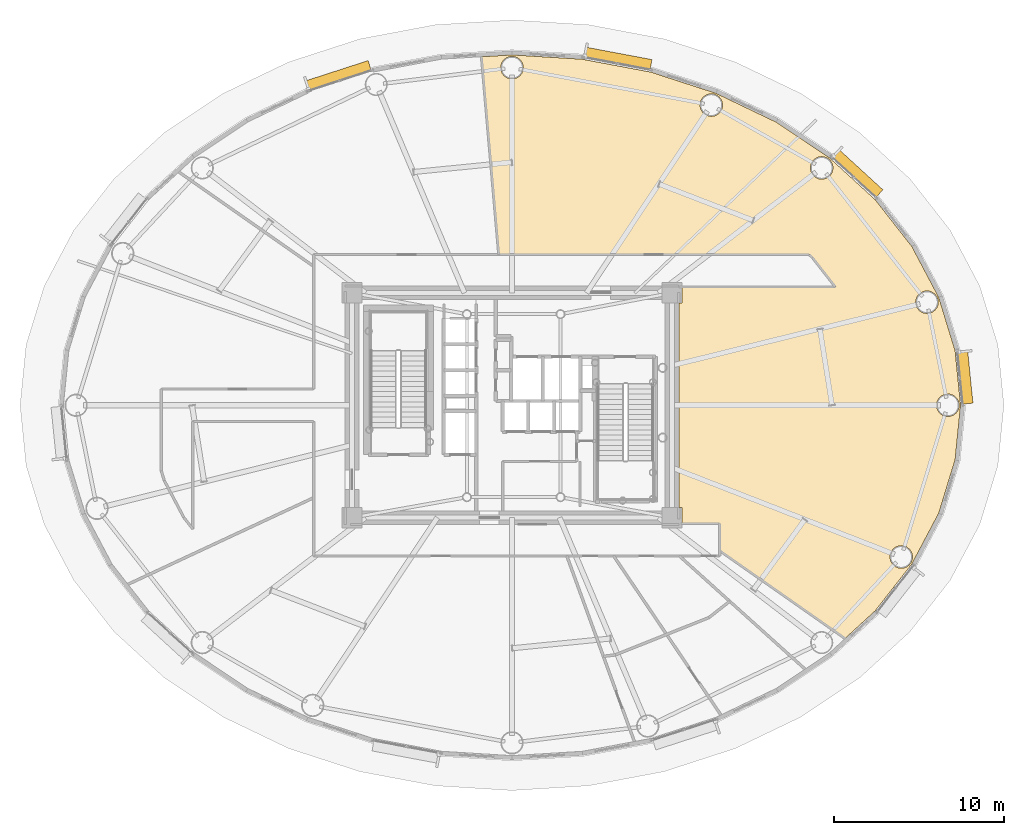
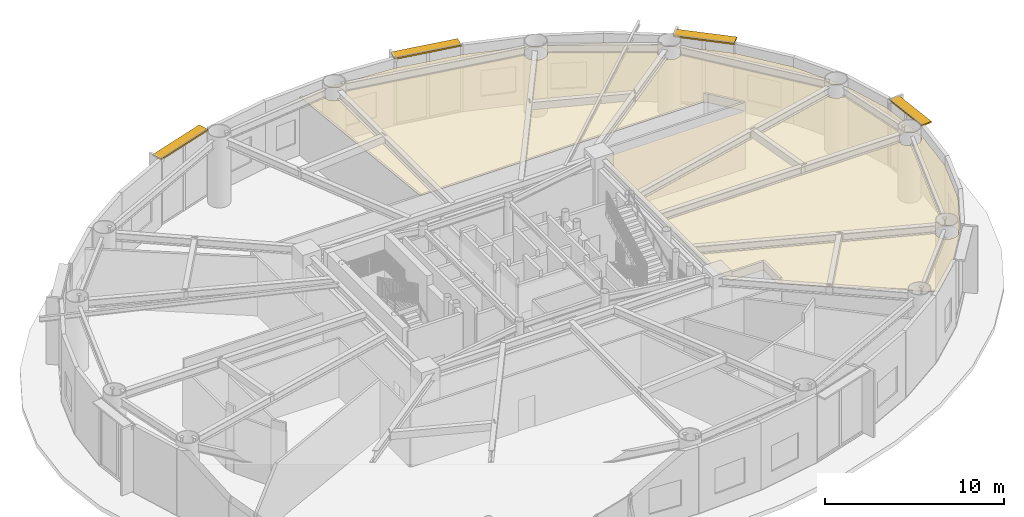
# One storey, part 38 of 38: 4 shading devices, 1 covering.
"""IFC4 building model written with IfcOpenShell, lengths in metres."""

import ifcopenshell
import ifcopenshell.guid

model = None  # the IFC model being written
_history = None  # IfcOwnerHistory: only IFC2X3 demands one
_inside = {}  # id of a spatial element -> (the spatial element, [elements in it])
_under = {}  # id of a project, library or spatial element -> (it, [spatial elements below it])
_declared = {}  # id of a project -> (the project, [libraries it declares])
_typed = {}  # id of a type object -> (the type object, [elements of that type])
_made_of = {}  # id of a material, layer set ... -> (it, [elements and type objects made of it])


def new_model(schema):
    """Start an empty IFC model of exactly this schema.

    Asked for "IFC4X3", IfcOpenShell would pick the latest addendum, in which some entities
    have other attributes; the version numbers below select the first issue.
    IFC2X3 requires an IfcOwnerHistory on every rooted entity: one is made here for all.
    """
    global model, _history
    if schema == "IFC4X3":
        model = ifcopenshell.file(schema_version=(4, 3, 0, 0))
    else:
        model = ifcopenshell.file(schema=schema)
    _inside.clear()
    _under.clear()
    _declared.clear()
    _typed.clear()
    _made_of.clear()
    _history = None
    if model.schema == "IFC2X3":
        org = make("IfcOrganization", Name="unknown")
        user = make(
            "IfcPersonAndOrganization",
            ThePerson=make("IfcPerson", FamilyName="unknown"),
            TheOrganization=org,
        )
        app = make(
            "IfcApplication",
            ApplicationDeveloper=org,
            Version="unknown",
            ApplicationFullName="unknown",
            ApplicationIdentifier="unknown",
        )
        _history = make(
            "IfcOwnerHistory",
            OwningUser=user,
            OwningApplication=app,
            ChangeAction="ADDED",
            CreationDate=0,
        )
    return model


def make(cls, **values):
    """One entity of the class cls with the attributes given. An attribute that is None is left unset."""
    return model.create_entity(
        cls, **{name: value for name, value in values.items() if value is not None}
    )


def rooted(cls, **values):
    """An entity with a GlobalId (a new one), such as an element, a storey or a relation."""
    return make(cls, GlobalId=ifcopenshell.guid.new(), OwnerHistory=_history, **values)


def si_unit(unit_type, name, prefix=None):
    """IfcSIUnit, for example si_unit("LENGTHUNIT", "METRE", prefix="MILLI")."""
    return make("IfcSIUnit", UnitType=unit_type, Prefix=prefix, Name=name)


def assignment(units):
    """IfcUnitAssignment: the units of a project."""
    return None if units is None else make("IfcUnitAssignment", Units=units)


def point(xyz):
    """IfcCartesianPoint."""
    return None if xyz is None else make("IfcCartesianPoint", Coordinates=xyz)


def direction(xyz):
    """IfcDirection."""
    return None if xyz is None else make("IfcDirection", DirectionRatios=xyz)


def frame(location, z_axis=None, x_axis=None):
    """IfcAxis2Placement3D, a coordinate frame: its origin and axes. An axis left out is left unset."""
    return make(
        "IfcAxis2Placement3D",
        Location=point(location),
        Axis=direction(z_axis),
        RefDirection=direction(x_axis),
    )


def frame_2d(location, x_axis=None):
    """IfcAxis2Placement2D, a coordinate frame in the plane: its origin and x axis."""
    return make(
        "IfcAxis2Placement2D", Location=point(location), RefDirection=direction(x_axis)
    )


def origin():
    """The frame at (0, 0, 0) with its axes left unset."""
    return frame((0.0, 0.0, 0.0))


def origin_2d():
    """The frame at (0, 0) in the plane with its x axis left unset."""
    return frame_2d((0.0, 0.0))


def place(relative_to, where):
    """IfcLocalPlacement: puts the frame where relative to a parent placement (None: the world)."""
    return make(
        "IfcLocalPlacement", PlacementRelTo=relative_to, RelativePlacement=where
    )


def context(
    kind, dimensions, precision=None, world=None, true_north=None, identifier=None
):
    """IfcGeometricRepresentationContext, for example the 3D "Model" context."""
    return make(
        "IfcGeometricRepresentationContext",
        ContextIdentifier=identifier,
        ContextType=kind,
        CoordinateSpaceDimension=dimensions,
        Precision=precision,
        WorldCoordinateSystem=world,
        TrueNorth=true_north,
    )


def subcontext(parent, identifier, kind, view, scale=None):
    """IfcGeometricRepresentationSubContext, for example "Body" below "Model"."""
    return make(
        "IfcGeometricRepresentationSubContext",
        ContextIdentifier=identifier,
        ContextType=kind,
        ParentContext=parent,
        TargetScale=scale,
        TargetView=view,
    )


def project(units=None, contexts=None):
    """IfcProject with its units and contexts."""
    return rooted(
        "IfcProject",
        Name="project",
        RepresentationContexts=contexts,
        UnitsInContext=assignment(units),
    )


def spatial(cls, under=None, at=None, **own):
    """A site, building, storey or space (cls), placed at a placement, below another one or the project."""
    s = rooted(cls, ObjectPlacement=at, **own)
    if under is not None:
        _under.setdefault(under.id(), (under, []))[1].append(s)
    return s


def polyline(points):
    """IfcPolyline through the points."""
    return make("IfcPolyline", Points=[point(p) for p in points])


def profile(cls, at=None, kind="AREA", **sizes):
    """A parametric profile (cls). Its sizes go by their IFC names, for example OverallWidth=200.0."""
    return make(cls, ProfileType=kind, Position=at, **sizes)


def rectangle(**sizes):
    """IfcRectangleProfileDef."""
    return profile("IfcRectangleProfileDef", **sizes)


def outline(outer, holes=None, kind="AREA"):
    """IfcArbitraryClosedProfileDef: a profile drawn as a closed curve; with holes, ...WithVoids."""
    if holes is None:
        return make("IfcArbitraryClosedProfileDef", ProfileType=kind, OuterCurve=outer)
    return make(
        "IfcArbitraryProfileDefWithVoids",
        ProfileType=kind,
        OuterCurve=outer,
        InnerCurves=holes,
    )


def extrude(swept, where, along, depth):
    """IfcExtrudedAreaSolid: the profile swept, set in the frame where, extruded along a direction by depth."""
    return make(
        "IfcExtrudedAreaSolid",
        SweptArea=swept,
        Position=where,
        ExtrudedDirection=direction(along),
        Depth=depth,
    )


def shape(context_of_items, identifier, shape_type, items):
    """IfcShapeRepresentation: the items that make up one representation, for example the "Body"."""
    return make(
        "IfcShapeRepresentation",
        ContextOfItems=context_of_items,
        RepresentationIdentifier=identifier,
        RepresentationType=shape_type,
        Items=items,
    )


def source(mapping_origin, context_of_items, identifier, shape_type, items):
    """IfcRepresentationMap: a shape defined once, which mapped items show again and again."""
    return make(
        "IfcRepresentationMap",
        MappingOrigin=mapping_origin,
        MappedRepresentation=shape(context_of_items, identifier, shape_type, items),
    )


def transform(
    local_origin,
    x_axis=None,
    y_axis=None,
    z_axis=None,
    scale=None,
    scale2=None,
    scale3=None,
    uniform=True,
):
    """IfcCartesianTransformationOperator3D, or its non-uniform kind. x_axis, y_axis, z_axis: its Axis1, 2, 3."""
    if uniform:
        return make(
            "IfcCartesianTransformationOperator3D",
            Axis1=direction(x_axis),
            Axis2=direction(y_axis),
            LocalOrigin=point(local_origin),
            Scale=scale,
            Axis3=direction(z_axis),
        )
    return make(
        "IfcCartesianTransformationOperator3DnonUniform",
        Axis1=direction(x_axis),
        Axis2=direction(y_axis),
        LocalOrigin=point(local_origin),
        Scale=scale,
        Axis3=direction(z_axis),
        Scale2=scale2,
        Scale3=scale3,
    )


def mapped(mapping_source, mapping_target):
    """IfcMappedItem: shows the shape of a source again, moved by a transform."""
    return make(
        "IfcMappedItem", MappingSource=mapping_source, MappingTarget=mapping_target
    )


def material(Name=None, Category=None):
    """IfcMaterial."""
    return make("IfcMaterial", Name=Name, Category=Category)


def layer(
    of_material, thickness, ventilated=None, Name=None, Category=None, Priority=None
):
    """IfcMaterialLayer: one layer of a wall or slab, of a material (None: an air gap)."""
    return make(
        "IfcMaterialLayer",
        Material=of_material,
        LayerThickness=thickness,
        IsVentilated=ventilated,
        Name=Name,
        Category=Category,
        Priority=Priority,
    )


def layer_set(layers, Name=None):
    """IfcMaterialLayerSet."""
    return make("IfcMaterialLayerSet", MaterialLayers=layers, LayerSetName=Name)


def made_of(thing, what):
    """Note that an element or type object is made of a material, layer set ...; save() writes the relation."""
    if what is not None:
        _made_of.setdefault(what.id(), (what, []))[1].append(thing)
    return thing


def type_object(cls, material=None, **own):
    """A type object (cls), such as IfcWallType, which elements share."""
    return made_of(rooted(cls, **own), material)


def element(
    cls,
    number,
    at=None,
    inside=None,
    cuts=None,
    type_object=None,
    material=None,
    context=None,
    identifier="Body",
    shape_type=None,
    held_by="IfcProductDefinitionShape",
    body=None,
    shapes=None,
    **own,
):
    """One element of the class cls, such as IfcWall. Its Tag is "e" and its number.

    at: its placement. inside: the storey or other place that contains it. cuts: it is an
    opening in that element (IfcRelVoidsElement). A single representation is given by context,
    identifier, shape_type and body (its items); several are given by shapes. held_by: the class
    of the entity that holds the representations. save() writes the other relations.
    """
    e = rooted(cls, Tag="e%d" % number, ObjectPlacement=at, **own)
    if body is not None:
        shapes = [shape(context, identifier, shape_type, body)]
    if shapes is not None:
        e.Representation = make(held_by, Representations=shapes)
    if inside is not None:
        _inside.setdefault(inside.id(), (inside, []))[1].append(e)
    if cuts is not None:
        rooted(
            "IfcRelVoidsElement", RelatingBuildingElement=cuts, RelatedOpeningElement=e
        )
    if type_object is not None:
        _typed.setdefault(type_object.id(), (type_object, []))[1].append(e)
    return made_of(e, material)


def aggregate(whole, parts):
    """IfcRelAggregates: a whole, such as a stair, and the parts it consists of."""
    return rooted("IfcRelAggregates", RelatingObject=whole, RelatedObjects=parts)


def save(model, path):
    """Write the relations noted so far, then the file.

    IfcRelAggregates (storeys below a building ...), IfcRelContainedInSpatialStructure (elements
    in a storey), IfcRelDefinesByType, IfcRelAssociatesMaterial and IfcRelDeclares: one each for
    every whole, place, type object, material and project.
    """
    for whole, parts in _under.values():
        aggregate(whole, parts)
    for where, things in _inside.values():
        rooted(
            "IfcRelContainedInSpatialStructure",
            RelatedElements=things,
            RelatingStructure=where,
        )
    for kind, things in _typed.values():
        rooted("IfcRelDefinesByType", RelatedObjects=things, RelatingType=kind)
    for what, things in _made_of.values():
        rooted("IfcRelAssociatesMaterial", RelatedObjects=things, RelatingMaterial=what)
    for by, libraries in _declared.values():
        rooted("IfcRelDeclares", RelatingContext=by, RelatedDefinitions=libraries)
    model.write(path)


model = new_model("IFC4")

# Units and contexts
model_context = context("Model", 3, precision=1e-05, world=origin(), true_north=direction((0.0, 1.0)))
body_context = subcontext(model_context, "Body", "Model", "MODEL_VIEW")
ifc_project = project(units=[si_unit("LENGTHUNIT", "METRE"), si_unit("AREAUNIT", "SQUARE_METRE"), si_unit("VOLUMEUNIT", "CUBIC_METRE"), si_unit("PLANEANGLEUNIT", "RADIAN"), si_unit("MASSUNIT", "GRAM", prefix="KILO")], contexts=[model_context])

# Site, building, storey
site_placement = place(None, origin())
site = spatial("IfcSite", under=ifc_project, at=site_placement, CompositionType="ELEMENT")
building_placement = place(site_placement, origin())
building = spatial("IfcBuilding", under=site, at=building_placement, Name="Linh Dai School and Residence Tower", CompositionType="ELEMENT")
storey_placement = place(building_placement, frame((0.0, 0.0, 151.35009765625)))
storey = spatial("IfcBuildingStorey", under=building, at=storey_placement, Name="L36", CompositionType="ELEMENT", Elevation=151.35009765625)

# Covering
ifc_material_1 = material(Name="Mineral Fibre Acoustic Suspended Ceiling", Category="masonry")
ifc_layer_1 = layer(ifc_material_1, 0.02001953125)
ifc_layer_set_1 = layer_set([ifc_layer_1], Name="Mineral Fibre Acoustic Suspended Ceiling")
covering_type = type_object("IfcCoveringType", Name="COV-CEIL-AC-20", PredefinedType="CEILING", material=ifc_layer_set_1)
covering_placement = place(storey_placement, frame((0.0, 0.0, 3.89990234375)))
element("IfcCovering", 1, at=covering_placement, inside=storey, type_object=covering_type, Name="L36 Mid-Zone Transfer Sky Lobby Concourse Suspended Ceiling", PredefinedType="CEILING", context=body_context, shape_type="SweptSolid", body=[
    extrude(outline(polyline([(57.336669921875, 14.926513671875), (55.56396484375, 13.30126953125), (48.199951171875, 18.45751953125), (48.199951171875, 20.050048828125), (46.0, 20.050048828125), (46.0, 21.0), (45.800048828125, 21.0), (45.800048828125, 33.0), (46.0, 33.0), (46.0, 33.949951171875), (54.9970703125, 33.949951171875), (53.6533203125, 35.6669921875), (53.453857421875, 35.85009765625), (35.2255859375, 35.85009765625), (34.208984375, 47.469482421875), (36.0, 47.580078125), (40.13037109375, 47.325439453125), (44.158203125, 46.568115234375), (47.9833984375, 45.327392578125), (51.511474609375, 43.634521484375), (54.65478515625, 41.5322265625), (57.336669921875, 39.073486328125), (59.4912109375, 36.3203125), (61.067138671875, 33.341064453125), (62.027587890625, 30.208984375), (62.35009765625, 27.0), (62.027587890625, 23.791015625), (61.067138671875, 20.658935546875), (59.4912109375, 17.6796875), (57.336669921875, 14.926513671875)]), holes=[polyline([(61.930908203125, 26.4267578125), (62.068115234375, 26.531982421875), (62.17333984375, 26.6689453125), (62.239501953125, 26.82861328125), (62.261962890625, 27.0), (62.239501953125, 27.17138671875), (62.17333984375, 27.3310546875), (62.068115234375, 27.468017578125), (61.930908203125, 27.5732421875), (61.771240234375, 27.639404296875), (61.60009765625, 27.662109375), (61.4287109375, 27.639404296875), (61.26904296875, 27.5732421875), (61.1318359375, 27.468017578125), (61.026611328125, 27.3310546875), (60.960693359375, 27.17138671875), (60.93798828125, 27.0), (60.960693359375, 26.82861328125), (61.026611328125, 26.6689453125), (61.1318359375, 26.531982421875), (61.26904296875, 26.4267578125), (61.4287109375, 26.360595703125), (61.60009765625, 26.337890625), (61.771240234375, 26.360595703125), (61.930908203125, 26.4267578125)]), polyline([(60.842529296875, 32.58544921875), (60.94775390625, 32.72265625), (61.013916015625, 32.882080078125), (61.03662109375, 33.0537109375), (61.013916015625, 33.224853515625), (60.94775390625, 33.384521484375), (60.842529296875, 33.521728515625), (60.70556640625, 33.626953125), (60.5458984375, 33.693115234375), (60.37451171875, 33.715576171875), (60.203125, 33.693115234375), (60.04345703125, 33.626953125), (59.906494140625, 33.521728515625), (59.801025390625, 33.384521484375), (59.735107421875, 33.224853515625), (59.71240234375, 33.0537109375), (59.735107421875, 32.882080078125), (59.801025390625, 32.72265625), (59.906494140625, 32.58544921875), (60.04345703125, 32.480224609375), (60.203125, 32.4140625), (60.37451171875, 32.3916015625), (60.5458984375, 32.4140625), (60.70556640625, 32.480224609375), (60.842529296875, 32.58544921875)]), polyline([(59.330810546875, 17.62060546875), (59.435791015625, 17.7578125), (59.501953125, 17.91748046875), (59.524658203125, 18.0888671875), (59.501953125, 18.260009765625), (59.435791015625, 18.419921875), (59.330810546875, 18.556884765625), (59.193603515625, 18.662109375), (59.033935546875, 18.728271484375), (58.862548828125, 18.750732421875), (58.691162109375, 18.728271484375), (58.531494140625, 18.662109375), (58.39453125, 18.556884765625), (58.289306640625, 18.419921875), (58.22314453125, 18.260009765625), (58.20068359375, 18.0888671875), (58.22314453125, 17.91748046875), (58.289306640625, 17.7578125), (58.39453125, 17.62060546875), (58.531494140625, 17.515380859375), (58.691162109375, 17.44921875), (58.862548828125, 17.4267578125), (59.033935546875, 17.44921875), (59.193603515625, 17.515380859375), (59.330810546875, 17.62060546875)]), polyline([(54.5234375, 40.368408203125), (54.66064453125, 40.4736328125), (54.765869140625, 40.610595703125), (54.831787109375, 40.7705078125), (54.8544921875, 40.941650390625), (54.831787109375, 41.113037109375), (54.765869140625, 41.272705078125), (54.66064453125, 41.409912109375), (54.5234375, 41.514892578125), (54.36376953125, 41.581298828125), (54.1923828125, 41.603759765625), (54.021240234375, 41.581298828125), (53.861572265625, 41.514892578125), (53.724365234375, 41.409912109375), (53.619140625, 41.272705078125), (53.552978515625, 41.113037109375), (53.530517578125, 40.941650390625), (53.552978515625, 40.7705078125), (53.619140625, 40.610595703125), (53.724365234375, 40.4736328125), (53.861572265625, 40.368408203125), (54.021240234375, 40.30224609375), (54.1923828125, 40.27978515625), (54.36376953125, 40.30224609375), (54.5234375, 40.368408203125)]), polyline([(48.03662109375, 44.0576171875), (48.173583984375, 44.162841796875), (48.27880859375, 44.2998046875), (48.344970703125, 44.45947265625), (48.36767578125, 44.630859375), (48.344970703125, 44.80224609375), (48.27880859375, 44.9619140625), (48.173583984375, 45.09912109375), (48.03662109375, 45.2041015625), (47.876953125, 45.270263671875), (47.70556640625, 45.29296875), (47.5341796875, 45.270263671875), (47.37451171875, 45.2041015625), (47.237548828125, 45.09912109375), (47.132080078125, 44.9619140625), (47.066162109375, 44.80224609375), (47.043701171875, 44.630859375), (47.066162109375, 44.45947265625), (47.132080078125, 44.2998046875), (47.237548828125, 44.162841796875), (47.37451171875, 44.0576171875), (47.5341796875, 43.991455078125), (47.70556640625, 43.968994140625), (47.876953125, 43.991455078125), (48.03662109375, 44.0576171875)]), polyline([(36.468017578125, 46.36181640625), (36.5732421875, 46.4990234375), (36.639404296875, 46.65869140625), (36.662109375, 46.830078125), (36.639404296875, 47.001220703125), (36.5732421875, 47.160888671875), (36.468017578125, 47.298095703125), (36.3310546875, 47.4033203125), (36.17138671875, 47.469482421875), (36.0, 47.491943359375), (35.82861328125, 47.469482421875), (35.6689453125, 47.4033203125), (35.531982421875, 47.298095703125), (35.4267578125, 47.160888671875), (35.360595703125, 47.001220703125), (35.337890625, 46.830078125), (35.360595703125, 46.65869140625), (35.4267578125, 46.4990234375), (35.531982421875, 46.36181640625), (35.6689453125, 46.256591796875), (35.82861328125, 46.190673828125), (36.0, 46.16796875), (36.17138671875, 46.190673828125), (36.3310546875, 46.256591796875), (36.468017578125, 46.36181640625)])]), origin(), (0.0, 0.0, 1.0), 0.02001953125),
])

# Shading devices
ifc_material_2 = material(Name="Terracotta Ceramic Sunshade", Category="masonry")
ifc_layer_2 = layer(ifc_material_2, 0.10009765625)
ifc_layer_set_2 = layer_set([ifc_layer_2], Name="Terracotta Ceramic Sunshade")
shading_device_type = type_object("IfcShadingDeviceType", Name="SHD-TC-650", PredefinedType="USERDEFINED", material=ifc_layer_set_2)
shared_shape_1 = source(origin(), body_context, "Body", "SweptSolid", [
    extrude(rectangle(XDim=3.1201171875, YDim=0.64990234375, at=origin_2d()), origin(), (0.0, 0.0, 1.0), 0.10009765625),
])
shading_device_1_placement = place(storey_placement, frame((62.59619140625, 28.645263671875, 4.429931640625), z_axis=(0.0, 0.0, 1.0), x_axis=(0.100001796141, -0.994987256586, 0.0)))
element("IfcShadingDevice", 2, at=shading_device_1_placement, inside=storey, type_object=shading_device_type, Name="L36 Terracotta Horizontal Sunshade Band 01", ObjectType="SUNSHADE", PredefinedType="USERDEFINED", context=body_context, shape_type="MappedRepresentation", body=[
    mapped(shared_shape_1, transform((0.0, 0.0, 0.0), x_axis=(1.0, 0.0, 0.0), y_axis=(0.0, 1.0, 0.0), z_axis=(0.0, 0.0, 1.0), scale=1.0)),
])
shared_shape_2 = source(origin(), body_context, "Body", "SweptSolid", [
    extrude(rectangle(XDim=3.51171875, YDim=0.64990234375, at=origin_2d()), origin(), (0.0, 0.0, 1.0), 0.10009765625),
])
shading_device_2_placement = place(storey_placement, frame((56.272705078125, 40.604736328125, 4.429931640625), z_axis=(0.0, 0.0, 1.0), x_axis=(0.737085029426, -0.67580001435, 0.0)))
element("IfcShadingDevice", 3, at=shading_device_2_placement, inside=storey, type_object=shading_device_type, Name="L36 Terracotta Horizontal Sunshade Band 05", ObjectType="SUNSHADE", PredefinedType="USERDEFINED", context=body_context, shape_type="MappedRepresentation", body=[
    mapped(shared_shape_2, transform((0.0, 0.0, 0.0), x_axis=(1.0, 0.0, 0.0), y_axis=(0.0, 1.0, 0.0), z_axis=(0.0, 0.0, 1.0), scale=1.0)),
])
shared_shape_3 = source(origin(), body_context, "Body", "SweptSolid", [
    extrude(rectangle(XDim=3.949462890625, YDim=0.64990234375, at=origin_2d()), origin(), (0.0, 0.0, 1.0), 0.10009765625),
])
shading_device_3_placement = place(storey_placement, frame((42.219970703125, 47.349609375, 4.429931640625), z_axis=(0.0, 0.0, 1.0), x_axis=(0.982783192645, -0.184762540184, 0.0)))
element("IfcShadingDevice", 4, at=shading_device_3_placement, inside=storey, type_object=shading_device_type, Name="L36 Terracotta Horizontal Sunshade Band 09", ObjectType="SUNSHADE", PredefinedType="USERDEFINED", context=body_context, shape_type="MappedRepresentation", body=[
    mapped(shared_shape_3, transform((0.0, 0.0, 0.0), x_axis=(1.0, 0.0, 0.0), y_axis=(0.0, 1.0, 0.0), z_axis=(0.0, 0.0, 1.0), scale=1.0)),
])
shared_shape_4 = source(origin(), body_context, "Body", "SweptSolid", [
    extrude(rectangle(XDim=3.876220703125, YDim=0.64990234375, at=origin_2d()), origin(), (0.0, 0.0, 1.0), 0.10009765625),
])
shading_device_4_placement = place(storey_placement, frame((25.802734375, 46.337646484375, 4.429931640625), z_axis=(0.0, 0.0, 1.0), x_axis=(0.951212761419, 0.308535707031, 0.0)))
element("IfcShadingDevice", 5, at=shading_device_4_placement, inside=storey, type_object=shading_device_type, Name="L36 Terracotta Horizontal Sunshade Band 13", ObjectType="SUNSHADE", PredefinedType="USERDEFINED", context=body_context, shape_type="MappedRepresentation", body=[
    mapped(shared_shape_4, transform((0.0, 0.0, 0.0), x_axis=(1.0, 0.0, 0.0), y_axis=(0.0, 1.0, 0.0), z_axis=(0.0, 0.0, 1.0), scale=1.0)),
])

save(model, "model.ifc")
